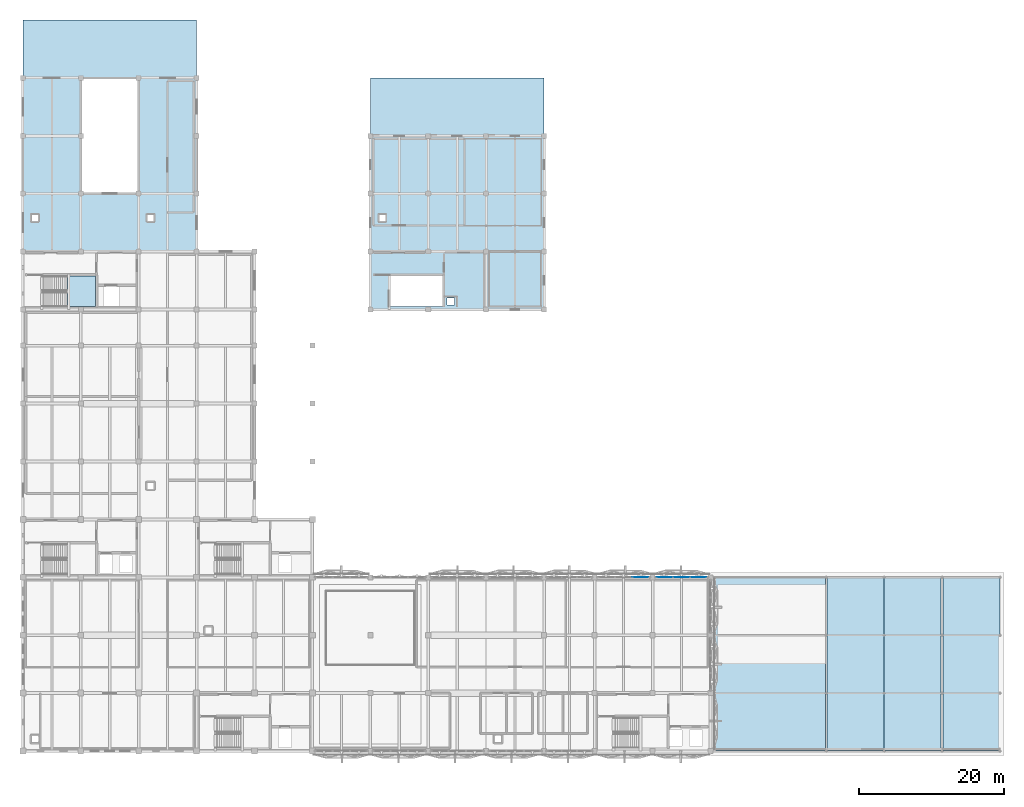
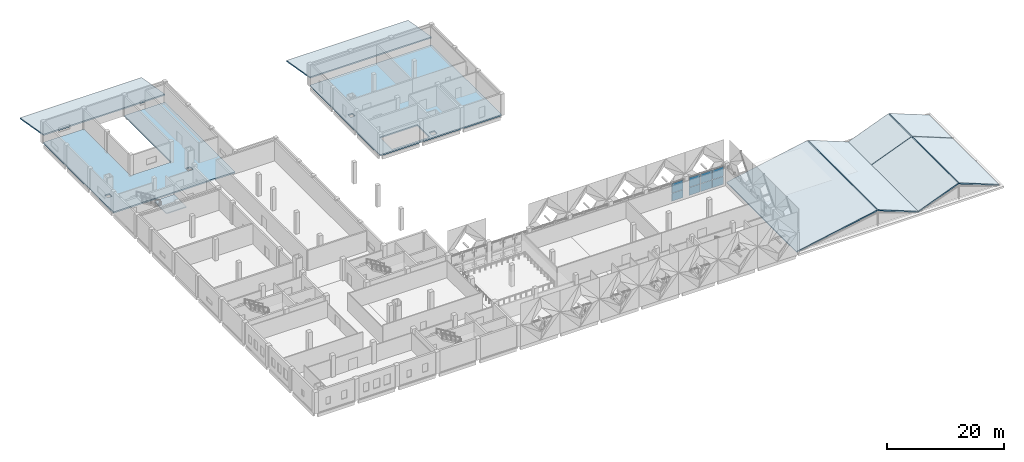
# One storey, part 19 of 37: 11 slabs, 8 plates, 8 elements without a shape of their own.
"""IFC4 building model written with IfcOpenShell, lengths in metres."""

from ifc_helpers import new_model, si_unit, direction, frame, origin, origin_2d, place, context, subcontext, project, spatial, polyline, rectangle, outline, extrude, material, layer, layer_set, type_object, element, aggregate, save


model = new_model("IFC4")

# Units and contexts
model_context = context("Model", 3, precision=1e-05, world=origin(), true_north=direction((0.0, 1.0)))
body_context = subcontext(model_context, "Body", "Model", "MODEL_VIEW")
ifc_project = project(units=[si_unit("LENGTHUNIT", "METRE"), si_unit("AREAUNIT", "SQUARE_METRE"), si_unit("VOLUMEUNIT", "CUBIC_METRE"), si_unit("PLANEANGLEUNIT", "RADIAN"), si_unit("MASSUNIT", "GRAM", prefix="KILO")], contexts=[model_context])

# Site, building, storey
site_placement = place(None, origin())
site = spatial("IfcSite", under=ifc_project, at=site_placement, CompositionType="ELEMENT")
building_placement = place(site_placement, origin())
building = spatial("IfcBuilding", under=site, at=building_placement, Name="Qorikala Patio Media Centre", CompositionType="ELEMENT")
storey_placement = place(building_placement, frame((0.0, 0.0, 14.39990234375)))
storey = spatial("IfcBuildingStorey", under=building, at=storey_placement, Name="L03", CompositionType="ELEMENT", Elevation=14.39990234375)

# Curtain wall, plates
ifc_material_1 = material(Name="Golden Bronze Anodised Aluminium and Low-E Glass", Category="aluminium")
ifc_layer_1 = layer(ifc_material_1, 0.159912109375)
ifc_layer_set_1 = layer_set([ifc_layer_1], Name="Golden Bronze Anodised Aluminium and Low-E Glass")
curtain_wall_type = type_object("IfcCurtainWallType", Name="CW-DIA-696X385", PredefinedType="USERDEFINED", material=ifc_layer_set_1)
curtain_wall_1_placement = place(storey_placement, origin())
curtain_wall_1 = element("IfcCurtainWall", 1, at=curtain_wall_1_placement, inside=storey, type_object=curtain_wall_type, Name="L03 Courtyard Curtain Wall 076", ObjectType="COURTYARD CURTAIN WALL", PredefinedType="USERDEFINED")
ifc_material_2 = material(Name="Solar-Control Diamond Facet Glass", Category="glass")
ifc_layer_2 = layer(ifc_material_2, 0.035888671875)
ifc_layer_set_2 = layer_set([ifc_layer_2], Name="Solar-Control Diamond Facet Glass")
plate_type = type_object("IfcPlateType", Name="CWP-36", PredefinedType="CURTAIN_PANEL", material=ifc_layer_set_2)
plate_1_placement = place(storey_placement, frame((88.3037109375, 27.0, 0.06494140625), z_axis=(0.0, 0.0, 1.0), x_axis=(1.0, 0.0, 0.0)))
plate_1 = element("IfcPlate", 2, at=plate_1_placement, type_object=plate_type, Name="CWD696385 panel 3.1", PredefinedType="CURTAIN_PANEL", context=body_context, shape_type="SweptSolid", body=[
    extrude(rectangle(XDim=2.222412109375, YDim=0.035888671875, at=origin_2d()), origin(), (0.0, 0.0, 1.0), 1.635009765625),
])
plate_2_placement = place(storey_placement, frame((88.3037109375, 27.0, 1.76513671875), z_axis=(0.0, 0.0, 1.0), x_axis=(1.0, 0.0, 0.0)))
plate_2 = element("IfcPlate", 3, at=plate_2_placement, type_object=plate_type, Name="CWD696385 panel 3.2", PredefinedType="CURTAIN_PANEL", context=body_context, shape_type="SweptSolid", body=[
    extrude(rectangle(XDim=2.222412109375, YDim=0.035888671875, at=origin_2d()), origin(), (0.0, 0.0, 1.0), 2.02001953125),
])
aggregate(curtain_wall_1, [plate_1, plate_2])

curtain_wall_2_placement = place(storey_placement, origin())
curtain_wall_2 = element("IfcCurtainWall", 4, at=curtain_wall_2_placement, inside=storey, type_object=curtain_wall_type, Name="L03 Courtyard Curtain Wall 077", ObjectType="COURTYARD CURTAIN WALL", PredefinedType="USERDEFINED")
plate_3_placement = place(storey_placement, frame((91.6962890625, 27.0, 0.06494140625), z_axis=(0.0, 0.0, 1.0), x_axis=(1.0, 0.0, 0.0)))
plate_3 = element("IfcPlate", 5, at=plate_3_placement, type_object=plate_type, Name="CWD696385 panel 1.1", PredefinedType="CURTAIN_PANEL", context=body_context, shape_type="SweptSolid", body=[
    extrude(rectangle(XDim=2.222412109375, YDim=0.035888671875, at=origin_2d()), origin(), (0.0, 0.0, 1.0), 1.635009765625),
])
plate_4_placement = place(storey_placement, frame((91.6962890625, 27.0, 1.76513671875), z_axis=(0.0, 0.0, 1.0), x_axis=(1.0, 0.0, 0.0)))
plate_4 = element("IfcPlate", 6, at=plate_4_placement, type_object=plate_type, Name="CWD696385 panel 1.2", PredefinedType="CURTAIN_PANEL", context=body_context, shape_type="SweptSolid", body=[
    extrude(rectangle(XDim=2.222412109375, YDim=0.035888671875, at=origin_2d()), origin(), (0.0, 0.0, 1.0), 2.02001953125),
])
plate_5_placement = place(storey_placement, frame((94.0, 27.0, 0.06494140625), z_axis=(0.0, 0.0, 1.0), x_axis=(1.0, 0.0, 0.0)))
plate_5 = element("IfcPlate", 7, at=plate_5_placement, type_object=plate_type, Name="CWD696385 panel 2.1", PredefinedType="CURTAIN_PANEL", context=body_context, shape_type="SweptSolid", body=[
    extrude(rectangle(XDim=2.2548828125, YDim=0.035888671875, at=origin_2d()), origin(), (0.0, 0.0, 1.0), 1.635009765625),
])
plate_6_placement = place(storey_placement, frame((94.0, 27.0, 1.76513671875), z_axis=(0.0, 0.0, 1.0), x_axis=(1.0, 0.0, 0.0)))
plate_6 = element("IfcPlate", 8, at=plate_6_placement, type_object=plate_type, Name="CWD696385 panel 2.2", PredefinedType="CURTAIN_PANEL", context=body_context, shape_type="SweptSolid", body=[
    extrude(rectangle(XDim=2.2548828125, YDim=0.035888671875, at=origin_2d()), origin(), (0.0, 0.0, 1.0), 2.02001953125),
])
plate_7_placement = place(storey_placement, frame((96.3037109375, 27.0, 0.06494140625), z_axis=(0.0, 0.0, 1.0), x_axis=(1.0, 0.0, 0.0)))
plate_7 = element("IfcPlate", 9, at=plate_7_placement, type_object=plate_type, Name="CWD696385 panel 3.1", PredefinedType="CURTAIN_PANEL", context=body_context, shape_type="SweptSolid", body=[
    extrude(rectangle(XDim=2.222412109375, YDim=0.035888671875, at=origin_2d()), origin(), (0.0, 0.0, 1.0), 1.635009765625),
])
plate_8_placement = place(storey_placement, frame((96.3037109375, 27.0, 1.76513671875), z_axis=(0.0, 0.0, 1.0), x_axis=(1.0, 0.0, 0.0)))
plate_8 = element("IfcPlate", 10, at=plate_8_placement, type_object=plate_type, Name="CWD696385 panel 3.2", PredefinedType="CURTAIN_PANEL", context=body_context, shape_type="SweptSolid", body=[
    extrude(rectangle(XDim=2.222412109375, YDim=0.035888671875, at=origin_2d()), origin(), (0.0, 0.0, 1.0), 2.02001953125),
])
aggregate(curtain_wall_2, [plate_3, plate_4, plate_5, plate_6, plate_7, plate_8])

# Stair, slab
ifc_material_3 = material(Name="Precast concrete C40/50", Category="concrete")
stair_type = type_object("IfcStairType", Name="ST-DL-26R173W200", PredefinedType="HALF_TURN_STAIR", material=ifc_material_3)
stair_placement = place(storey_placement, origin())
stair = element("IfcStair", 11, at=stair_placement, inside=storey, type_object=stair_type, Name="L03 Core C3 Exit Stair ST-3", PredefinedType="HALF_TURN_STAIR")
ifc_layer_3 = layer(ifc_material_3, 0.199951171875)
ifc_layer_set_3 = layer_set([ifc_layer_3], Name="Precast concrete C40/50")
slab_type_1 = type_object("IfcSlabType", Name="SL-LAND-200", PredefinedType="LANDING", material=ifc_layer_set_3)
slab_1_placement = place(storey_placement, frame((0.0, 0.0, 2.050048828125)))
slab_1 = element("IfcSlab", 12, at=slab_1_placement, type_object=slab_type_1, Name="ST-3 landing 1", PredefinedType="LANDING", context=body_context, shape_type="SweptSolid", body=[
    extrude(outline(polyline([(9.080078125, 64.39990234375), (13.0, 64.39990234375), (13.0, 68.60009765625), (9.080078125, 68.60009765625), (9.080078125, 64.39990234375)])), origin(), (0.0, 0.0, 1.0), 0.199951171875),
])
aggregate(stair, [slab_1])

# Roof, slabs
ifc_material_4 = material(Name="Terracotta Clay Tile and Steel S355", Category="masonry")
roof_type = type_object("IfcRoofType", Name="ROOF-GABLE", PredefinedType="GABLE_ROOF", material=ifc_material_4)
roof_1_placement = place(storey_placement, origin())
roof_1 = element("IfcRoof", 13, at=roof_1_placement, inside=storey, type_object=roof_type, Name="RF-V7A1 Spanish Clay-Tile Gable Roof", PredefinedType="GABLE_ROOF")
ifc_material_5 = material(Name="Concrete C35/45", Category="concrete")
ifc_layer_4 = layer(ifc_material_5, 0.260009765625)
ifc_layer_set_4 = layer_set([ifc_layer_4], Name="Concrete C35/45")
slab_type_2 = type_object("IfcSlabType", Name="SL-ROOF-180", PredefinedType="ROOF", material=ifc_layer_set_4)
slab_2_placement = place(storey_placement, frame((98.0, 3.050048828125, 0.300048828125), z_axis=(-0.19160466486, 0.0, 0.981472186261), x_axis=(0.981472186261, 0.0, 0.19160466486)))
slab_2 = element("IfcSlab", 14, at=slab_2_placement, type_object=slab_type_2, Name="RF-V7A1 Pitched Roof Slab W", PredefinedType="ROOF", context=body_context, shape_type="SweptSolid", body=[
    extrude(outline(polyline([(0.0, 0.0), (16.17965647401142, 0.0), (16.17965647401142, 23.89990234375), (0.0, 23.89990234375), (0.0, 0.0)])), origin(), (0.0, 0.0, -1.0), 0.260009765625),
])
slab_3_placement = place(storey_placement, frame((114.1201171875, 3.050048828125, 3.400146484375), z_axis=(0.366105481265, 0.0, 0.930573359058), x_axis=(0.930573359058, 0.0, -0.366105481265)))
slab_3 = element("IfcSlab", 15, at=slab_3_placement, type_object=slab_type_2, Name="RF-V7A1 Pitched Roof Slab E", PredefinedType="ROOF", context=body_context, shape_type="SweptSolid", body=[
    extrude(outline(polyline([(0.0, 0.0), (8.467771762218185, 0.0), (8.467771762218185, 23.89990234375), (0.0, 23.89990234375), (0.0, 0.0)])), origin(), (0.0, 0.0, -1.0), 0.260009765625),
])
aggregate(roof_1, [slab_2, slab_3])

roof_2_placement = place(storey_placement, origin())
roof_2 = element("IfcRoof", 16, at=roof_2_placement, inside=storey, type_object=roof_type, Name="RF-V7A2 Spanish Clay-Tile Gable Roof", PredefinedType="GABLE_ROOF")
slab_4_placement = place(storey_placement, frame((122.0, 3.050048828125, 0.300048828125), z_axis=(-0.366105481265, 0.0, 0.930573359058), x_axis=(0.930573359058, 0.0, 0.366105481265)))
slab_4 = element("IfcSlab", 17, at=slab_4_placement, type_object=slab_type_2, Name="RF-V7A2 Pitched Roof Slab W", PredefinedType="ROOF", context=body_context, shape_type="SweptSolid", body=[
    extrude(outline(polyline([(0.0, 0.0), (8.467771762218185, 0.0), (8.467771762218185, 15.89990234375), (0.0, 15.89990234375), (0.0, 0.0)])), origin(), (0.0, 0.0, -1.0), 0.260009765625),
])
slab_5_placement = place(storey_placement, frame((130.1201171875, 3.050048828125, 3.400146484375), z_axis=(0.366105481265, 0.0, 0.930573359058), x_axis=(0.930573359058, 0.0, -0.366105481265)))
slab_5 = element("IfcSlab", 18, at=slab_5_placement, type_object=slab_type_2, Name="RF-V7A2 Pitched Roof Slab E", PredefinedType="ROOF", context=body_context, shape_type="SweptSolid", body=[
    extrude(outline(polyline([(0.0, 0.0), (8.467771762218185, 0.0), (8.467771762218185, 15.89990234375), (0.0, 15.89990234375), (0.0, 0.0)])), origin(), (0.0, 0.0, -1.0), 0.260009765625),
])
aggregate(roof_2, [slab_4, slab_5])

roof_3_placement = place(storey_placement, origin())
roof_3 = element("IfcRoof", 19, at=roof_3_placement, inside=storey, type_object=roof_type, Name="RF-V7A3 Spanish Clay-Tile Gable Roof", PredefinedType="GABLE_ROOF")
slab_6_placement = place(storey_placement, frame((122.0, 19.050048828125, 0.300048828125), z_axis=(-0.366105481265, 0.0, 0.930573359058), x_axis=(0.930573359058, 0.0, 0.366105481265)))
slab_6 = element("IfcSlab", 20, at=slab_6_placement, type_object=slab_type_2, Name="RF-V7A3 Pitched Roof Slab W", PredefinedType="ROOF", context=body_context, shape_type="SweptSolid", body=[
    extrude(outline(polyline([(0.0, 0.0), (8.467771762218185, 0.0), (8.467771762218185, 7.89990234375), (0.0, 7.89990234375), (0.0, 0.0)])), origin(), (0.0, 0.0, -1.0), 0.260009765625),
])
slab_7_placement = place(storey_placement, frame((130.1201171875, 19.050048828125, 3.400146484375), z_axis=(0.366105481265, 0.0, 0.930573359058), x_axis=(0.930573359058, 0.0, -0.366105481265)))
slab_7 = element("IfcSlab", 21, at=slab_7_placement, type_object=slab_type_2, Name="RF-V7A3 Pitched Roof Slab E", PredefinedType="ROOF", context=body_context, shape_type="SweptSolid", body=[
    extrude(outline(polyline([(0.0, 0.0), (8.467771762218185, 0.0), (8.467771762218185, 7.89990234375), (0.0, 7.89990234375), (0.0, 0.0)])), origin(), (0.0, 0.0, -1.0), 0.260009765625),
])
aggregate(roof_3, [slab_6, slab_7])

# Roof, slab
roof_4_placement = place(storey_placement, origin())
roof_4 = element("IfcRoof", 22, at=roof_4_placement, inside=storey, type_object=roof_type, Name="L03 Colonial Clay-Tile Loggia Roof RF-LOG-V4-L3", PredefinedType="GABLE_ROOF")
slab_8_placement = place(storey_placement, frame((3.0, 104.0, 0.260009765625), z_axis=(0.0, 0.171201595869, 0.985236019222), x_axis=(1.0, 0.0, 0.0)))
slab_8 = element("IfcSlab", 23, at=slab_8_placement, type_object=slab_type_2, Name="L03 Colonial Loggia Roof Slab RF-LOG-V4-L3", PredefinedType="ROOF", context=body_context, shape_type="SweptSolid", body=[
    extrude(outline(polyline([(0.0, 0.0), (24.0, 0.0), (24.0, -8.119881778500043), (0.0, -8.119881778500043), (0.0, 0.0)])), origin(), (0.0, 0.0, -1.0), 0.239990234375),
])
aggregate(roof_4, [slab_8])

roof_5_placement = place(storey_placement, origin())
roof_5 = element("IfcRoof", 24, at=roof_5_placement, inside=storey, type_object=roof_type, Name="L03 Colonial Clay-Tile Loggia Roof RF-LOG-V5-L3", PredefinedType="GABLE_ROOF")
slab_9_placement = place(storey_placement, frame((51.0, 96.0, 0.260009765625), z_axis=(0.0, 0.171201595869, 0.985236019222), x_axis=(1.0, 0.0, 0.0)))
slab_9 = element("IfcSlab", 25, at=slab_9_placement, type_object=slab_type_2, Name="L03 Colonial Loggia Roof Slab RF-LOG-V5-L3", PredefinedType="ROOF", context=body_context, shape_type="SweptSolid", body=[
    extrude(outline(polyline([(0.0, 0.0), (24.0, 0.0), (24.0, -8.119881778500043), (0.0, -8.119881778500043), (0.0, 0.0)])), origin(), (0.0, 0.0, -1.0), 0.239990234375),
])
aggregate(roof_5, [slab_9])

# Slabs
ifc_layer_5 = layer(ifc_material_5, 0.280029296875)
ifc_layer_set_5 = layer_set([ifc_layer_5], Name="Concrete C35/45")
slab_type_3 = type_object("IfcSlabType", Name="SL-STUDIO-280", PredefinedType="FLOOR", material=ifc_layer_set_5)
slab_10_placement = place(storey_placement, frame((0.0, 0.0, -0.27978515625)))
element("IfcSlab", 26, at=slab_10_placement, inside=storey, type_object=slab_type_3, Name="L03 V4 Slab 7.1", PredefinedType="FLOOR", context=body_context, shape_type="SweptSolid", body=[
    extrude(outline(polyline([(11.0, 96.0), (11.0, 80.0), (19.0, 80.0), (19.0, 96.0), (27.0, 96.0), (27.0, 72.0), (19.0, 72.0), (3.0, 72.0), (3.0, 96.0), (11.0, 96.0)]), holes=[polyline([(4.199951171875, 76.199951171875), (5.10009765625, 76.199951171875), (5.10009765625, 77.10009765625), (4.199951171875, 77.10009765625), (4.199951171875, 76.199951171875)]), polyline([(20.199951171875, 76.199951171875), (21.10009765625, 76.199951171875), (21.10009765625, 77.10009765625), (20.199951171875, 77.10009765625), (20.199951171875, 76.199951171875)])]), origin(), (0.0, 0.0, 1.0), 0.27978515625),
])
slab_11_placement = place(storey_placement, frame((0.0, 0.0, -0.27978515625)))
element("IfcSlab", 27, at=slab_11_placement, inside=storey, type_object=slab_type_3, Name="L03 V5 Slab 8.1", PredefinedType="FLOOR", context=body_context, shape_type="SweptSolid", body=[
    extrude(outline(polyline([(51.0, 88.0), (75.0, 88.0), (75.0, 64.0), (51.0, 64.0), (51.0, 88.0)]), holes=[polyline([(62.60009765625, 64.60009765625), (62.60009765625, 65.60009765625), (61.60009765625, 65.60009765625), (61.60009765625, 64.60009765625), (62.60009765625, 64.60009765625)]), polyline([(53.60009765625, 64.39990234375), (61.0, 64.39990234375), (61.0, 68.60009765625), (53.60009765625, 68.60009765625), (53.60009765625, 64.39990234375)]), polyline([(52.199951171875, 76.199951171875), (53.10009765625, 76.199951171875), (53.10009765625, 77.10009765625), (52.199951171875, 77.10009765625), (52.199951171875, 76.199951171875)])]), origin(), (0.0, 0.0, 1.0), 0.27978515625),
])

save(model, "model.ifc")
